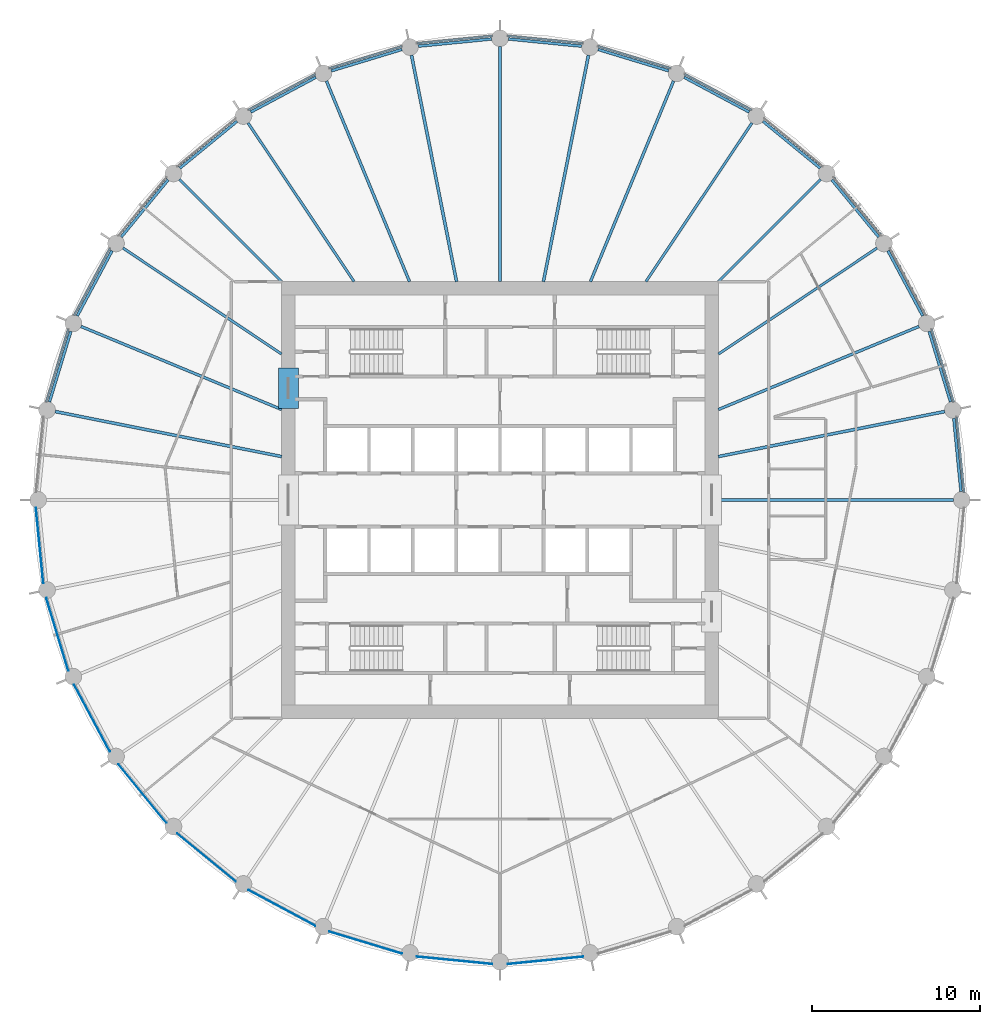
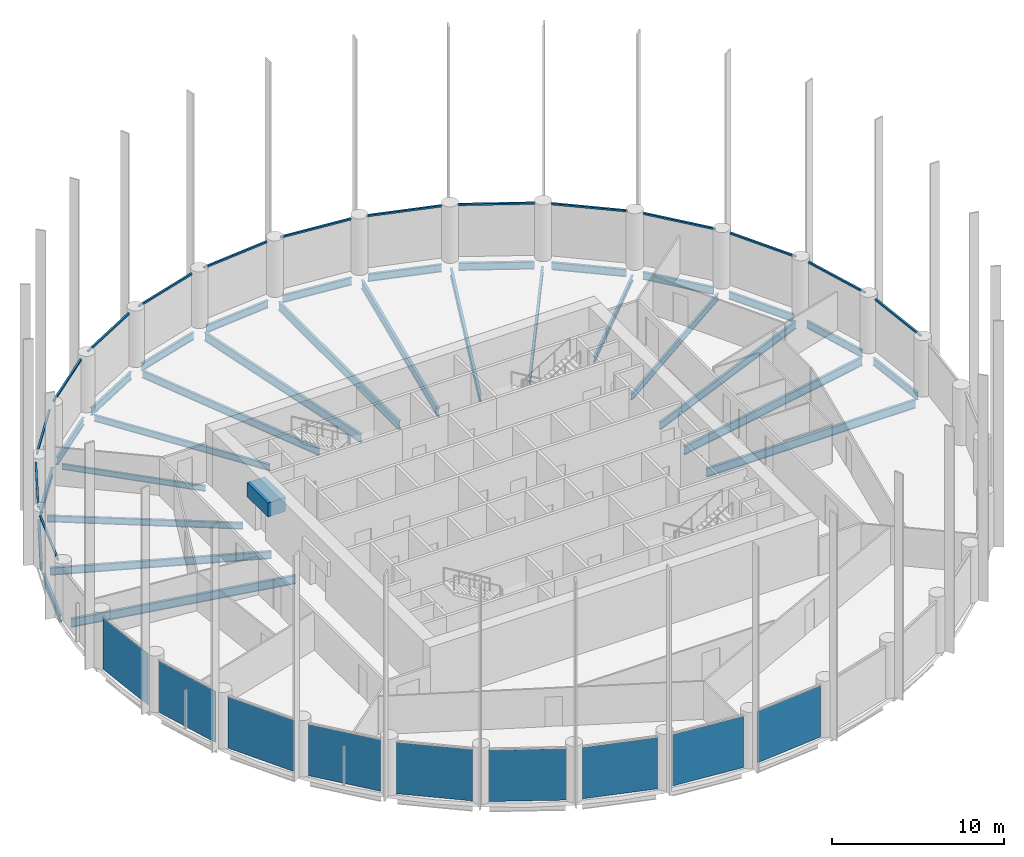
# One storey, part 2 of 9: 32 beams, 15 members, 9 plates, 24 elements without a shape of their own.
"""IFC4 building model written with IfcOpenShell, lengths in metres."""

from ifc_helpers import new_model, si_unit, direction, frame, origin, origin_2d, place, context, subcontext, project, spatial, rectangle, i_section, extrude, material, layer, layer_set, material_profile, profile_set, type_object, element, aggregate, save


model = new_model("IFC4")

# Units and contexts
model_context = context("Model", 3, precision=1e-05, world=origin(), true_north=direction((0.0, 1.0)))
body_context = subcontext(model_context, "Body", "Model", "MODEL_VIEW")
ifc_project = project(units=[si_unit("LENGTHUNIT", "METRE"), si_unit("AREAUNIT", "SQUARE_METRE"), si_unit("VOLUMEUNIT", "CUBIC_METRE"), si_unit("PLANEANGLEUNIT", "RADIAN"), si_unit("MASSUNIT", "GRAM", prefix="KILO")], contexts=[model_context])

# Site, building, storey
site_placement = place(None, origin())
site = spatial("IfcSite", under=ifc_project, at=site_placement, CompositionType="ELEMENT")
building_placement = place(site_placement, origin())
building = spatial("IfcBuilding", under=site, at=building_placement, Name="Corvane Civic Tower", CompositionType="ELEMENT")
storey_placement = place(building_placement, frame((0.0, 0.0, 217.5)))
storey = spatial("IfcBuildingStorey", under=building, at=storey_placement, Name="L51", CompositionType="ELEMENT", Elevation=217.5)

# Beams
ifc_material_1 = material(Name="Concrete C50/60", Category="concrete")
ifc_material_profile_1 = material_profile(ifc_material_1, rectangle(XDim=1.199951171875, YDim=1.0, at=origin_2d()), Name="COUPLING BEAM 1200X1000")
ifc_profile_set_1 = profile_set([ifc_material_profile_1], Name="Concrete C50/60")
beam_type_1 = type_object("IfcBeamType", Name="COUPLING BEAM COUPLING BEAM 1200X1000", PredefinedType="BEAM", material=ifc_profile_set_1)
beam_1_placement = place(storey_placement, frame((-12.60009765625, 5.449951171875, 2.60009765625), z_axis=(0.0, 1.0, 0.0), x_axis=(-1.0, 0.0, 0.0)))
element("IfcBeam", 1, at=beam_1_placement, inside=storey, type_object=beam_type_1, Name="BM-L51-cpl-CW-WN", PredefinedType="BEAM", context=body_context, shape_type="SweptSolid", body=[
    extrude(rectangle(XDim=1.199951171875, YDim=1.0, at=origin_2d()), origin(), (0.0, 0.0, 1.0), 2.400146484375),
])
ifc_material_2 = material(Name="Steel ASTM A992 Gr 50", Category="steel")
ifc_material_profile_2 = material_profile(ifc_material_2, i_section(OverallWidth=0.165771484375, OverallDepth=0.5283203125, WebThickness=0.009765625, FlangeThickness=0.013671875, at=origin_2d()), Name="W21X50")
ifc_profile_set_2 = profile_set([ifc_material_profile_2], Name="Steel ASTM A992 Gr 50")
beam_type_2 = type_object("IfcBeamType", Name="EDGE BEAM W21X50", PredefinedType="BEAM", material=ifc_profile_set_2)
beam_2_placement = place(storey_placement, frame((0.49755859375, 27.450927734375, -0.564208984375), z_axis=(0.995189593769, -0.097967711281, 0.0), x_axis=(0.097967711281, 0.995189593769, 0.0)))
element("IfcBeam", 2, at=beam_2_placement, inside=storey, type_object=beam_type_2, Name="BM-L51-E01", PredefinedType="BEAM", context=body_context, shape_type="SweptSolid", body=[
    extrude(i_section(OverallWidth=0.165771484375, OverallDepth=0.5283203125, WebThickness=0.009765625, FlangeThickness=0.013671875, at=origin_2d()), origin(), (0.0, 0.0, 1.0), 4.39111328125),
])
beam_3_placement = place(storey_placement, frame((5.843505859375, 26.826416015625, -0.564208984375), z_axis=(0.956949547653, -0.290254307888, 0.0), x_axis=(0.290254307888, 0.956949547653, 0.0)))
element("IfcBeam", 3, at=beam_3_placement, inside=storey, type_object=beam_type_2, Name="BM-L51-E02", PredefinedType="BEAM", context=body_context, shape_type="SweptSolid", body=[
    extrude(i_section(OverallWidth=0.165771484375, OverallDepth=0.5283203125, WebThickness=0.009765625, FlangeThickness=0.013671875, at=origin_2d()), origin(), (0.0, 0.0, 1.0), 4.390625),
])
for number, where, z_axis, x_axis, name in (
    (4, (10.964599609375, 25.171142578125, -0.564208984375), (0.881907756852, -0.471422006704, 0.0), (0.471422006704, 0.881907756852, 0.0), "BM-L51-E03"),
    (5, (15.66455078125, 22.54833984375, -0.564208984375), (0.773030026524, -0.634369433447, 0.0), (0.634369433447, 0.773030026524, 0.0), "BM-L51-E04"),
    (6, (19.7626953125, 19.05908203125, -0.564208984375), (0.634369433447, -0.773030026524, 0.0), (0.773030026524, 0.634369433447, 0.0), "BM-L51-E05"),
    (7, (23.10107421875, 14.837158203125, -0.564208984375), (0.471422006704, -0.881907756852, 0.0), (0.881907756852, 0.471422006704, 0.0), "BM-L51-E06"),
):
    element("IfcBeam", number, at=place(storey_placement, frame(where, z_axis=z_axis, x_axis=x_axis)), inside=storey, type_object=beam_type_2, Name=name, PredefinedType="BEAM", context=body_context, shape_type="SweptSolid", body=[
        extrude(i_section(OverallWidth=0.165771484375, OverallDepth=0.5283203125, WebThickness=0.009765625, FlangeThickness=0.013671875, at=origin_2d()), origin(), (0.0, 0.0, 1.0), 4.39111328125),
    ])
beam_4_placement = place(storey_placement, frame((25.552001953125, 10.045166015625, -0.564208984375), z_axis=(0.290254307888, -0.956949547653, 0.0), x_axis=(0.956949547653, 0.290254307888, 0.0)))
element("IfcBeam", 8, at=beam_4_placement, inside=storey, type_object=beam_type_2, Name="BM-L51-E07", PredefinedType="BEAM", context=body_context, shape_type="SweptSolid", body=[
    extrude(i_section(OverallWidth=0.165771484375, OverallDepth=0.5283203125, WebThickness=0.009765625, FlangeThickness=0.013671875, at=origin_2d()), origin(), (0.0, 0.0, 1.0), 4.390625),
])
beam_5_placement = place(storey_placement, frame((27.020751953125, 4.867431640625, -0.564208984375), z_axis=(0.097967711281, -0.995189593769, 0.0), x_axis=(0.995189593769, 0.097967711281, 0.0)))
element("IfcBeam", 9, at=beam_5_placement, inside=storey, type_object=beam_type_2, Name="BM-L51-E08", PredefinedType="BEAM", context=body_context, shape_type="SweptSolid", body=[
    extrude(i_section(OverallWidth=0.165771484375, OverallDepth=0.5283203125, WebThickness=0.009765625, FlangeThickness=0.013671875, at=origin_2d()), origin(), (0.0, 0.0, 1.0), 4.39111328125),
])
beam_6_placement = place(storey_placement, frame((-26.826416015625, 5.843505859375, -0.564208984375), z_axis=(0.290254307888, 0.956949547653, 0.0), x_axis=(-0.956949547653, 0.290254307888, 0.0)))
element("IfcBeam", 10, at=beam_6_placement, inside=storey, type_object=beam_type_2, Name="BM-L51-E26", PredefinedType="BEAM", context=body_context, shape_type="SweptSolid", body=[
    extrude(i_section(OverallWidth=0.165771484375, OverallDepth=0.5283203125, WebThickness=0.009765625, FlangeThickness=0.013671875, at=origin_2d()), origin(), (0.0, 0.0, 1.0), 4.390625),
])
for number, where, z_axis, x_axis, name in (
    (11, (-25.171142578125, 10.964599609375, -0.564208984375), (0.471422006704, 0.881907756852, 0.0), (-0.881907756852, 0.471422006704, 0.0), "BM-L51-E27"),
    (12, (-22.54833984375, 15.66455078125, -0.564208984375), (0.634369433447, 0.773030026524, 0.0), (-0.773030026524, 0.634369433447, 0.0), "BM-L51-E28"),
    (13, (-19.05908203125, 19.7626953125, -0.564208984375), (0.773030026524, 0.634369433447, 0.0), (-0.634369433447, 0.773030026524, 0.0), "BM-L51-E29"),
    (14, (-14.837158203125, 23.10107421875, -0.564208984375), (0.881907756852, 0.471422006704, 0.0), (-0.471422006704, 0.881907756852, 0.0), "BM-L51-E30"),
):
    element("IfcBeam", number, at=place(storey_placement, frame(where, z_axis=z_axis, x_axis=x_axis)), inside=storey, type_object=beam_type_2, Name=name, PredefinedType="BEAM", context=body_context, shape_type="SweptSolid", body=[
        extrude(i_section(OverallWidth=0.165771484375, OverallDepth=0.5283203125, WebThickness=0.009765625, FlangeThickness=0.013671875, at=origin_2d()), origin(), (0.0, 0.0, 1.0), 4.39111328125),
    ])
beam_7_placement = place(storey_placement, frame((-10.045166015625, 25.552001953125, -0.564208984375), z_axis=(0.956949547653, 0.290254307888, 0.0), x_axis=(-0.290254307888, 0.956949547653, 0.0)))
element("IfcBeam", 15, at=beam_7_placement, inside=storey, type_object=beam_type_2, Name="BM-L51-E31", PredefinedType="BEAM", context=body_context, shape_type="SweptSolid", body=[
    extrude(i_section(OverallWidth=0.165771484375, OverallDepth=0.5283203125, WebThickness=0.009765625, FlangeThickness=0.013671875, at=origin_2d()), origin(), (0.0, 0.0, 1.0), 4.390625),
])
beam_8_placement = place(storey_placement, frame((-4.867431640625, 27.020751953125, -0.564208984375), z_axis=(0.995189593769, 0.097967711281, 0.0), x_axis=(-0.097967711281, 0.995189593769, 0.0)))
element("IfcBeam", 16, at=beam_8_placement, inside=storey, type_object=beam_type_2, Name="BM-L51-E32", PredefinedType="BEAM", context=body_context, shape_type="SweptSolid", body=[
    extrude(i_section(OverallWidth=0.165771484375, OverallDepth=0.5283203125, WebThickness=0.009765625, FlangeThickness=0.013671875, at=origin_2d()), origin(), (0.0, 0.0, 1.0), 4.39111328125),
])
ifc_material_3 = material(Name="Steel ASTM A992 Gr 50", Category="steel")
ifc_material_profile_3 = material_profile(ifc_material_3, i_section(OverallWidth=0.140380859375, OverallDepth=0.40380859375, WebThickness=0.007080078125, FlangeThickness=0.01123046875, at=origin_2d()), Name="W16X31")
ifc_profile_set_3 = profile_set([ifc_material_profile_3], Name="Steel ASTM A992 Gr 50")
beam_type_3 = type_object("IfcBeamType", Name="FLOOR GIRDER W16X31", PredefinedType="BEAM", material=ifc_profile_set_3)
for number, where, z_axis, x_axis, name in (
    (17, (13.0, 13.0, -0.501953125), (0.707106781187, 0.707106781187, 0.0), (-0.707106781187, 0.707106781187, 0.0), "BM-L51-G05"),
    (18, (-13.0, 13.0, -0.501953125), (-0.707106781187, 0.707106781187, 0.0), (-0.707106781187, -0.707106781187, 0.0), "BM-L51-G29"),
):
    element("IfcBeam", number, at=place(storey_placement, frame(where, z_axis=z_axis, x_axis=x_axis)), inside=storey, type_object=beam_type_3, Name=name, PredefinedType="BEAM", context=body_context, shape_type="SweptSolid", body=[
        extrude(i_section(OverallWidth=0.140380859375, OverallDepth=0.40380859375, WebThickness=0.007080078125, FlangeThickness=0.01123046875, at=origin_2d()), origin(), (0.0, 0.0, 1.0), 8.614990234375),
    ])
ifc_material_4 = material(Name="Steel ASTM A992 Gr 50", Category="steel")
ifc_material_profile_4 = material_profile(ifc_material_4, i_section(OverallWidth=0.15283203125, OverallDepth=0.45458984375, WebThickness=0.008056640625, FlangeThickness=0.013427734375, at=origin_2d()), Name="W18X40")
ifc_profile_set_4 = profile_set([ifc_material_profile_4], Name="Steel ASTM A992 Gr 50")
beam_type_4 = type_object("IfcBeamType", Name="FLOOR GIRDER W18X40", PredefinedType="BEAM", material=ifc_profile_set_4)
for number, where, z_axis, x_axis, name in (
    (19, (8.686279296875, 13.0, -0.52734375), (0.555577326485, 0.831464872557, 0.0), (-0.831464872557, 0.555577326485, 0.0), "BM-L51-G04"),
    (20, (13.0, 8.686279296875, -0.52734375), (0.831464872557, 0.555577326485, 0.0), (-0.555577326485, 0.831464872557, 0.0), "BM-L51-G06"),
    (21, (-13.0, 8.686279296875, -0.52734375), (-0.831464872557, 0.555577326485, 0.0), (-0.555577326485, -0.831464872557, 0.0), "BM-L51-G28"),
    (22, (-8.686279296875, 13.0, -0.52734375), (-0.555577326485, 0.831464872557, 0.0), (-0.831464872557, -0.555577326485, 0.0), "BM-L51-G30"),
):
    element("IfcBeam", number, at=place(storey_placement, frame(where, z_axis=z_axis, x_axis=x_axis)), inside=storey, type_object=beam_type_4, Name=name, PredefinedType="BEAM", context=body_context, shape_type="SweptSolid", body=[
        extrude(i_section(OverallWidth=0.15283203125, OverallDepth=0.45458984375, WebThickness=0.008056640625, FlangeThickness=0.013427734375, at=origin_2d()), origin(), (0.0, 0.0, 1.0), 11.365234375),
    ])
ifc_material_5 = material(Name="Steel ASTM A992 Gr 50", Category="steel")
ifc_material_profile_5 = material_profile(ifc_material_5, i_section(OverallWidth=0.165771484375, OverallDepth=0.5283203125, WebThickness=0.009765625, FlangeThickness=0.013671875, at=origin_2d()), Name="W21X50")
ifc_profile_set_5 = profile_set([ifc_material_profile_5], Name="Steel ASTM A992 Gr 50")
beam_type_5 = type_object("IfcBeamType", Name="FLOOR GIRDER W21X50", PredefinedType="BEAM", material=ifc_profile_set_5)
for number, where, z_axis, x_axis, name in (
    (23, (5.384765625, 13.0, -0.564208984375), (0.382686450378, 0.923878282404, 0.0), (-0.923878282404, 0.382686450378, 0.0), "BM-L51-G03"),
    (24, (13.0, 5.384765625, -0.564208984375), (0.923878282404, 0.382686450378, 0.0), (-0.382686450378, 0.923878282404, 0.0), "BM-L51-G07"),
    (25, (-13.0, 5.384765625, -0.564208984375), (-0.923878282404, 0.382686450378, 0.0), (-0.382686450378, -0.923878282404, 0.0), "BM-L51-G27"),
    (26, (-5.384765625, 13.0, -0.564208984375), (-0.382686450378, 0.923878282404, 0.0), (-0.923878282404, -0.382686450378, 0.0), "BM-L51-G31"),
):
    element("IfcBeam", number, at=place(storey_placement, frame(where, z_axis=z_axis, x_axis=x_axis)), inside=storey, type_object=beam_type_5, Name=name, PredefinedType="BEAM", context=body_context, shape_type="SweptSolid", body=[
        extrude(i_section(OverallWidth=0.165771484375, OverallDepth=0.5283203125, WebThickness=0.009765625, FlangeThickness=0.013671875, at=origin_2d()), origin(), (0.0, 0.0, 1.0), 12.928955078125),
    ])
ifc_material_6 = material(Name="Steel ASTM A992 Gr 50", Category="steel")
ifc_material_profile_6 = material_profile(ifc_material_6, i_section(OverallWidth=0.177978515625, OverallDepth=0.599365234375, WebThickness=0.010009765625, FlangeThickness=0.012939453125, at=origin_2d()), Name="W24X55")
ifc_profile_set_6 = profile_set([ifc_material_profile_6], Name="Steel ASTM A992 Gr 50")
beam_type_6 = type_object("IfcBeamType", Name="FLOOR GIRDER W24X55", PredefinedType="BEAM", material=ifc_profile_set_6)
beam_9_placement = place(storey_placement, frame((0.0, 13.0, -0.599609375), z_axis=(0.0, 1.0, 0.0), x_axis=(-1.0, 0.0, 0.0)))
element("IfcBeam", 27, at=beam_9_placement, inside=storey, type_object=beam_type_6, Name="BM-L51-G01", PredefinedType="BEAM", context=body_context, shape_type="SweptSolid", body=[
    extrude(i_section(OverallWidth=0.177978515625, OverallDepth=0.599365234375, WebThickness=0.010009765625, FlangeThickness=0.012939453125, at=origin_2d()), origin(), (0.0, 0.0, 1.0), 14.0),
])
for number, where, z_axis, x_axis, name in (
    (28, (2.5859375, 13.0, -0.599609375), (0.195077644118, 0.980787802109, 0.0), (-0.980787802109, 0.195077644118, 0.0), "BM-L51-G02"),
    (29, (13.0, 2.5859375, -0.599609375), (0.980787802109, 0.195077644118, 0.0), (-0.195077644118, 0.980787802109, 0.0), "BM-L51-G08"),
):
    element("IfcBeam", number, at=place(storey_placement, frame(where, z_axis=z_axis, x_axis=x_axis)), inside=storey, type_object=beam_type_6, Name=name, PredefinedType="BEAM", context=body_context, shape_type="SweptSolid", body=[
        extrude(i_section(OverallWidth=0.177978515625, OverallDepth=0.599365234375, WebThickness=0.010009765625, FlangeThickness=0.012939453125, at=origin_2d()), origin(), (0.0, 0.0, 1.0), 13.745361328125),
    ])
beam_10_placement = place(storey_placement, frame((13.0, 0.0, -0.599609375), z_axis=(1.0, 0.0, 0.0), x_axis=(0.0, 1.0, 0.0)))
element("IfcBeam", 30, at=beam_10_placement, inside=storey, type_object=beam_type_6, Name="BM-L51-G09", PredefinedType="BEAM", context=body_context, shape_type="SweptSolid", body=[
    extrude(i_section(OverallWidth=0.177978515625, OverallDepth=0.599365234375, WebThickness=0.010009765625, FlangeThickness=0.012939453125, at=origin_2d()), origin(), (0.0, 0.0, 1.0), 14.0),
])
for number, where, z_axis, x_axis, name in (
    (31, (-13.0, 2.5859375, -0.599609375), (-0.980787802109, 0.195077644118, 0.0), (-0.195077644118, -0.980787802109, 0.0), "BM-L51-G26"),
    (32, (-2.5859375, 13.0, -0.599609375), (-0.195077644118, 0.980787802109, 0.0), (-0.980787802109, -0.195077644118, 0.0), "BM-L51-G32"),
):
    element("IfcBeam", number, at=place(storey_placement, frame(where, z_axis=z_axis, x_axis=x_axis)), inside=storey, type_object=beam_type_6, Name=name, PredefinedType="BEAM", context=body_context, shape_type="SweptSolid", body=[
        extrude(i_section(OverallWidth=0.177978515625, OverallDepth=0.599365234375, WebThickness=0.010009765625, FlangeThickness=0.012939453125, at=origin_2d()), origin(), (0.0, 0.0, 1.0), 13.745361328125),
    ])

# Curtain wall, member
ifc_material_7 = material(Name="Anodised aluminium bronze", Category="aluminium")
curtain_wall_type = type_object("IfcCurtainWallType", Name="TOWER CW-T2 STICK CURTAIN WALL", PredefinedType="NOTDEFINED", material=ifc_material_7)
curtain_wall_1_placement = place(storey_placement, origin())
curtain_wall_1 = element("IfcCurtainWall", 33, at=curtain_wall_1_placement, inside=storey, type_object=curtain_wall_type, Name="Curtain wall CW-T2 L51 bay 01", PredefinedType="NOTDEFINED")
ifc_material_8 = material(Name="Anodised aluminium bronze", Category="aluminium")
ifc_material_profile_7 = material_profile(ifc_material_8, rectangle(XDim=0.1201171875, YDim=0.1201171875, at=origin_2d()), Name="TOWER CW-T2 TRANSOM 120x120")
ifc_profile_set_7 = profile_set([ifc_material_profile_7], Name="Anodised aluminium bronze")
member_type = type_object("IfcMemberType", Name="TOWER CW-T2 TRANSOM 120x120", PredefinedType="USERDEFINED", material=ifc_profile_set_7)
member_1_placement = place(storey_placement, frame((0.452392578125, 27.635498046875, 3.68994140625), z_axis=(0.995182207386, -0.098042715701, 0.0), x_axis=(0.098042715701, 0.995182207386, 0.0)))
member_1 = element("IfcMember", 34, at=member_1_placement, type_object=member_type, Name="Transom CW-T2 L51 01.1", ObjectType="TRANSOM", PredefinedType="USERDEFINED", context=body_context, shape_type="SweptSolid", body=[
    extrude(rectangle(XDim=0.1201171875, YDim=0.1201171875, at=origin_2d()), origin(), (0.0, 0.0, 1.0), 4.51708984375),
])
aggregate(curtain_wall_1, [member_1])

curtain_wall_2_placement = place(storey_placement, origin())
curtain_wall_2 = element("IfcCurtainWall", 35, at=curtain_wall_2_placement, inside=storey, type_object=curtain_wall_type, Name="Curtain wall CW-T2 L51 bay 02", PredefinedType="NOTDEFINED")
member_2_placement = place(storey_placement, frame((5.8349609375, 27.016357421875, 3.68994140625), z_axis=(0.956941182173, -0.2902818869, 0.0), x_axis=(0.2902818869, 0.956941182173, 0.0)))
member_2 = element("IfcMember", 36, at=member_2_placement, type_object=member_type, Name="Transom CW-T2 L51 02.1", ObjectType="TRANSOM", PredefinedType="USERDEFINED", context=body_context, shape_type="SweptSolid", body=[
    extrude(rectangle(XDim=0.1201171875, YDim=0.1201171875, at=origin_2d()), origin(), (0.0, 0.0, 1.0), 4.517333984375),
])
aggregate(curtain_wall_2, [member_2])

curtain_wall_3_placement = place(storey_placement, origin())
curtain_wall_3 = element("IfcCurtainWall", 37, at=curtain_wall_3_placement, inside=storey, type_object=curtain_wall_type, Name="Curtain wall CW-T2 L51 bay 03", PredefinedType="NOTDEFINED")
member_3_placement = place(storey_placement, frame((10.993408203125, 25.35888671875, 3.68994140625), z_axis=(0.881924695689, -0.471390317183, 0.0), x_axis=(0.471390317183, 0.881924695689, 0.0)))
member_3 = element("IfcMember", 38, at=member_3_placement, type_object=member_type, Name="Transom CW-T2 L51 03.1", ObjectType="TRANSOM", PredefinedType="USERDEFINED", context=body_context, shape_type="SweptSolid", body=[
    extrude(rectangle(XDim=0.1201171875, YDim=0.1201171875, at=origin_2d()), origin(), (0.0, 0.0, 1.0), 4.517333984375),
])
aggregate(curtain_wall_3, [member_3])

curtain_wall_4_placement = place(storey_placement, origin())
curtain_wall_4 = element("IfcCurtainWall", 39, at=curtain_wall_4_placement, inside=storey, type_object=curtain_wall_type, Name="Curtain wall CW-T2 L51 bay 04", PredefinedType="NOTDEFINED")
member_4_placement = place(storey_placement, frame((15.7294921875, 22.726806640625, 3.68994140625), z_axis=(0.773014925698, -0.634387834569, 0.0), x_axis=(0.634387834569, 0.773014925698, 0.0)))
member_4 = element("IfcMember", 40, at=member_4_placement, type_object=member_type, Name="Transom CW-T2 L51 04.1", ObjectType="TRANSOM", PredefinedType="USERDEFINED", context=body_context, shape_type="SweptSolid", body=[
    extrude(rectangle(XDim=0.1201171875, YDim=0.1201171875, at=origin_2d()), origin(), (0.0, 0.0, 1.0), 4.517333984375),
])
aggregate(curtain_wall_4, [member_4])

curtain_wall_5_placement = place(storey_placement, origin())
curtain_wall_5 = element("IfcCurtainWall", 41, at=curtain_wall_5_placement, inside=storey, type_object=curtain_wall_type, Name="Curtain wall CW-T2 L51 bay 05", PredefinedType="NOTDEFINED")
member_5_placement = place(storey_placement, frame((19.861083984375, 19.221435546875, 3.68994140625), z_axis=(0.634387834569, -0.773014925698, 0.0), x_axis=(0.773014925698, 0.634387834569, 0.0)))
member_5 = element("IfcMember", 42, at=member_5_placement, type_object=member_type, Name="Transom CW-T2 L51 05.1", ObjectType="TRANSOM", PredefinedType="USERDEFINED", context=body_context, shape_type="SweptSolid", body=[
    extrude(rectangle(XDim=0.1201171875, YDim=0.1201171875, at=origin_2d()), origin(), (0.0, 0.0, 1.0), 4.517333984375),
])
aggregate(curtain_wall_5, [member_5])

curtain_wall_6_placement = place(storey_placement, origin())
curtain_wall_6 = element("IfcCurtainWall", 43, at=curtain_wall_6_placement, inside=storey, type_object=curtain_wall_type, Name="Curtain wall CW-T2 L51 bay 06", PredefinedType="NOTDEFINED")
member_6_placement = place(storey_placement, frame((23.2294921875, 14.977294921875, 3.68994140625), z_axis=(0.471390317183, -0.881924695689, 0.0), x_axis=(0.881924695689, 0.471390317183, 0.0)))
member_6 = element("IfcMember", 44, at=member_6_placement, type_object=member_type, Name="Transom CW-T2 L51 06.1", ObjectType="TRANSOM", PredefinedType="USERDEFINED", context=body_context, shape_type="SweptSolid", body=[
    extrude(rectangle(XDim=0.1201171875, YDim=0.1201171875, at=origin_2d()), origin(), (0.0, 0.0, 1.0), 4.517333984375),
])
aggregate(curtain_wall_6, [member_6])

curtain_wall_7_placement = place(storey_placement, origin())
curtain_wall_7 = element("IfcCurtainWall", 45, at=curtain_wall_7_placement, inside=storey, type_object=curtain_wall_type, Name="Curtain wall CW-T2 L51 bay 07", PredefinedType="NOTDEFINED")
member_7_placement = place(storey_placement, frame((25.705078125, 10.15771484375, 3.68994140625), z_axis=(0.2902818869, -0.956941182173, 0.0), x_axis=(0.956941182173, 0.2902818869, 0.0)))
member_7 = element("IfcMember", 46, at=member_7_placement, type_object=member_type, Name="Transom CW-T2 L51 07.1", ObjectType="TRANSOM", PredefinedType="USERDEFINED", context=body_context, shape_type="SweptSolid", body=[
    extrude(rectangle(XDim=0.1201171875, YDim=0.1201171875, at=origin_2d()), origin(), (0.0, 0.0, 1.0), 4.517333984375),
])
aggregate(curtain_wall_7, [member_7])

curtain_wall_8_placement = place(storey_placement, origin())
curtain_wall_8 = element("IfcCurtainWall", 47, at=curtain_wall_8_placement, inside=storey, type_object=curtain_wall_type, Name="Curtain wall CW-T2 L51 bay 08", PredefinedType="NOTDEFINED")
member_8_placement = place(storey_placement, frame((27.192626953125, 4.94775390625, 3.68994140625), z_axis=(0.098042715701, -0.995182207386, 0.0), x_axis=(0.995182207386, 0.098042715701, 0.0)))
member_8 = element("IfcMember", 48, at=member_8_placement, type_object=member_type, Name="Transom CW-T2 L51 08.1", ObjectType="TRANSOM", PredefinedType="USERDEFINED", context=body_context, shape_type="SweptSolid", body=[
    extrude(rectangle(XDim=0.1201171875, YDim=0.1201171875, at=origin_2d()), origin(), (0.0, 0.0, 1.0), 4.51708984375),
])
aggregate(curtain_wall_8, [member_8])

curtain_wall_9_placement = place(storey_placement, origin())
curtain_wall_9 = element("IfcCurtainWall", 49, at=curtain_wall_9_placement, inside=storey, type_object=curtain_wall_type, Name="Curtain wall CW-T2 L51 bay 26", PredefinedType="NOTDEFINED")
member_9_placement = place(storey_placement, frame((-27.016357421875, 5.8349609375, 3.68994140625), z_axis=(0.2902818869, 0.956941182173, 0.0), x_axis=(-0.956941182173, 0.2902818869, 0.0)))
member_9 = element("IfcMember", 50, at=member_9_placement, type_object=member_type, Name="Transom CW-T2 L51 26.1", ObjectType="TRANSOM", PredefinedType="USERDEFINED", context=body_context, shape_type="SweptSolid", body=[
    extrude(rectangle(XDim=0.1201171875, YDim=0.1201171875, at=origin_2d()), origin(), (0.0, 0.0, 1.0), 4.517333984375),
])
aggregate(curtain_wall_9, [member_9])

curtain_wall_10_placement = place(storey_placement, origin())
curtain_wall_10 = element("IfcCurtainWall", 51, at=curtain_wall_10_placement, inside=storey, type_object=curtain_wall_type, Name="Curtain wall CW-T2 L51 bay 27", PredefinedType="NOTDEFINED")
member_10_placement = place(storey_placement, frame((-25.35888671875, 10.993408203125, 3.68994140625), z_axis=(0.471390317183, 0.881924695689, 0.0), x_axis=(-0.881924695689, 0.471390317183, 0.0)))
member_10 = element("IfcMember", 52, at=member_10_placement, type_object=member_type, Name="Transom CW-T2 L51 27.1", ObjectType="TRANSOM", PredefinedType="USERDEFINED", context=body_context, shape_type="SweptSolid", body=[
    extrude(rectangle(XDim=0.1201171875, YDim=0.1201171875, at=origin_2d()), origin(), (0.0, 0.0, 1.0), 4.517333984375),
])
aggregate(curtain_wall_10, [member_10])

curtain_wall_11_placement = place(storey_placement, origin())
curtain_wall_11 = element("IfcCurtainWall", 53, at=curtain_wall_11_placement, inside=storey, type_object=curtain_wall_type, Name="Curtain wall CW-T2 L51 bay 28", PredefinedType="NOTDEFINED")
member_11_placement = place(storey_placement, frame((-22.726806640625, 15.7294921875, 3.68994140625), z_axis=(0.634387834569, 0.773014925698, 0.0), x_axis=(-0.773014925698, 0.634387834569, 0.0)))
member_11 = element("IfcMember", 54, at=member_11_placement, type_object=member_type, Name="Transom CW-T2 L51 28.1", ObjectType="TRANSOM", PredefinedType="USERDEFINED", context=body_context, shape_type="SweptSolid", body=[
    extrude(rectangle(XDim=0.1201171875, YDim=0.1201171875, at=origin_2d()), origin(), (0.0, 0.0, 1.0), 4.517333984375),
])
aggregate(curtain_wall_11, [member_11])

curtain_wall_12_placement = place(storey_placement, origin())
curtain_wall_12 = element("IfcCurtainWall", 55, at=curtain_wall_12_placement, inside=storey, type_object=curtain_wall_type, Name="Curtain wall CW-T2 L51 bay 29", PredefinedType="NOTDEFINED")
member_12_placement = place(storey_placement, frame((-19.221435546875, 19.861083984375, 3.68994140625), z_axis=(0.773014925698, 0.634387834569, 0.0), x_axis=(-0.634387834569, 0.773014925698, 0.0)))
member_12 = element("IfcMember", 56, at=member_12_placement, type_object=member_type, Name="Transom CW-T2 L51 29.1", ObjectType="TRANSOM", PredefinedType="USERDEFINED", context=body_context, shape_type="SweptSolid", body=[
    extrude(rectangle(XDim=0.1201171875, YDim=0.1201171875, at=origin_2d()), origin(), (0.0, 0.0, 1.0), 4.517333984375),
])
aggregate(curtain_wall_12, [member_12])

curtain_wall_13_placement = place(storey_placement, origin())
curtain_wall_13 = element("IfcCurtainWall", 57, at=curtain_wall_13_placement, inside=storey, type_object=curtain_wall_type, Name="Curtain wall CW-T2 L51 bay 30", PredefinedType="NOTDEFINED")
member_13_placement = place(storey_placement, frame((-14.977294921875, 23.2294921875, 3.68994140625), z_axis=(0.881924695689, 0.471390317183, 0.0), x_axis=(-0.471390317183, 0.881924695689, 0.0)))
member_13 = element("IfcMember", 58, at=member_13_placement, type_object=member_type, Name="Transom CW-T2 L51 30.1", ObjectType="TRANSOM", PredefinedType="USERDEFINED", context=body_context, shape_type="SweptSolid", body=[
    extrude(rectangle(XDim=0.1201171875, YDim=0.1201171875, at=origin_2d()), origin(), (0.0, 0.0, 1.0), 4.517333984375),
])
aggregate(curtain_wall_13, [member_13])

curtain_wall_14_placement = place(storey_placement, origin())
curtain_wall_14 = element("IfcCurtainWall", 59, at=curtain_wall_14_placement, inside=storey, type_object=curtain_wall_type, Name="Curtain wall CW-T2 L51 bay 31", PredefinedType="NOTDEFINED")
member_14_placement = place(storey_placement, frame((-10.15771484375, 25.705078125, 3.68994140625), z_axis=(0.956941182173, 0.2902818869, 0.0), x_axis=(-0.2902818869, 0.956941182173, 0.0)))
member_14 = element("IfcMember", 60, at=member_14_placement, type_object=member_type, Name="Transom CW-T2 L51 31.1", ObjectType="TRANSOM", PredefinedType="USERDEFINED", context=body_context, shape_type="SweptSolid", body=[
    extrude(rectangle(XDim=0.1201171875, YDim=0.1201171875, at=origin_2d()), origin(), (0.0, 0.0, 1.0), 4.517333984375),
])
aggregate(curtain_wall_14, [member_14])

curtain_wall_15_placement = place(storey_placement, origin())
curtain_wall_15 = element("IfcCurtainWall", 61, at=curtain_wall_15_placement, inside=storey, type_object=curtain_wall_type, Name="Curtain wall CW-T2 L51 bay 32", PredefinedType="NOTDEFINED")
member_15_placement = place(storey_placement, frame((-4.94775390625, 27.192626953125, 3.68994140625), z_axis=(0.995182207386, 0.098042715701, 0.0), x_axis=(-0.098042715701, 0.995182207386, 0.0)))
member_15 = element("IfcMember", 62, at=member_15_placement, type_object=member_type, Name="Transom CW-T2 L51 32.1", ObjectType="TRANSOM", PredefinedType="USERDEFINED", context=body_context, shape_type="SweptSolid", body=[
    extrude(rectangle(XDim=0.1201171875, YDim=0.1201171875, at=origin_2d()), origin(), (0.0, 0.0, 1.0), 4.51708984375),
])
aggregate(curtain_wall_15, [member_15])

# Curtain wall, plate
curtain_wall_16_placement = place(storey_placement, origin())
curtain_wall_16 = element("IfcCurtainWall", 63, at=curtain_wall_16_placement, inside=storey, type_object=curtain_wall_type, Name="Curtain wall CW-T2 L51 bay 16", PredefinedType="NOTDEFINED")
ifc_material_9 = material(Name="Tinted glass", Category="glass")
ifc_layer = layer(ifc_material_9, 0.031982421875)
ifc_layer_set = layer_set([ifc_layer], Name="Tinted glass")
plate_type = type_object("IfcPlateType", Name="TOWER CW-T2 PANEL IGU32", PredefinedType="CURTAIN_PANEL", material=ifc_layer_set)
plate_1_placement = place(storey_placement, frame((2.699951171875, -27.4140625, 0.0), z_axis=(0.0, 0.0, 1.0), x_axis=(-0.995187058378, -0.097993463235, 0.0)))
plate_1 = element("IfcPlate", 64, at=plate_1_placement, type_object=plate_type, Name="Glass panel CW-T2 L51 16.1", PredefinedType="CURTAIN_PANEL", context=body_context, shape_type="SweptSolid", body=[
    extrude(rectangle(XDim=4.517333984375, YDim=0.031982421875, at=origin_2d()), origin(), (0.0, 0.0, 1.0), 3.6298828125),
])
aggregate(curtain_wall_16, [plate_1])

curtain_wall_17_placement = place(storey_placement, origin())
curtain_wall_17 = element("IfcCurtainWall", 65, at=curtain_wall_17_placement, inside=storey, type_object=curtain_wall_type, Name="Curtain wall CW-T2 L51 bay 17", PredefinedType="NOTDEFINED")
plate_2_placement = place(storey_placement, frame((-2.699951171875, -27.4140625, 0.0), z_axis=(0.0, 0.0, 1.0), x_axis=(-0.995187058378, 0.097993463235, 0.0)))
plate_2 = element("IfcPlate", 66, at=plate_2_placement, type_object=plate_type, Name="Glass panel CW-T2 L51 17.1", PredefinedType="CURTAIN_PANEL", context=body_context, shape_type="SweptSolid", body=[
    extrude(rectangle(XDim=4.517333984375, YDim=0.031982421875, at=origin_2d()), origin(), (0.0, 0.0, 1.0), 3.6298828125),
])
aggregate(curtain_wall_17, [plate_2])

curtain_wall_18_placement = place(storey_placement, origin())
curtain_wall_18 = element("IfcCurtainWall", 67, at=curtain_wall_18_placement, inside=storey, type_object=curtain_wall_type, Name="Curtain wall CW-T2 L51 bay 18", PredefinedType="NOTDEFINED")
plate_3_placement = place(storey_placement, frame((-7.996337890625, -26.360595703125, 0.0), z_axis=(0.0, 0.0, 1.0), x_axis=(-0.956938843612, 0.290289596069, 0.0)))
plate_3 = element("IfcPlate", 68, at=plate_3_placement, type_object=plate_type, Name="Glass panel CW-T2 L51 18.1", PredefinedType="CURTAIN_PANEL", context=body_context, shape_type="SweptSolid", body=[
    extrude(rectangle(XDim=4.517333984375, YDim=0.031982421875, at=origin_2d()), origin(), (0.0, 0.0, 1.0), 3.6298828125),
])
aggregate(curtain_wall_18, [plate_3])

curtain_wall_19_placement = place(storey_placement, origin())
curtain_wall_19 = element("IfcCurtainWall", 69, at=curtain_wall_19_placement, inside=storey, type_object=curtain_wall_type, Name="Curtain wall CW-T2 L51 bay 19", PredefinedType="NOTDEFINED")
plate_4_placement = place(storey_placement, frame((-12.9853515625, -24.294189453125, 0.0), z_axis=(0.0, 0.0, 1.0), x_axis=(-0.881920381001, 0.471398389449, 0.0)))
plate_4 = element("IfcPlate", 70, at=plate_4_placement, type_object=plate_type, Name="Glass panel CW-T2 L51 19.1", PredefinedType="CURTAIN_PANEL", context=body_context, shape_type="SweptSolid", body=[
    extrude(rectangle(XDim=4.517333984375, YDim=0.031982421875, at=origin_2d()), origin(), (0.0, 0.0, 1.0), 3.6298828125),
])
aggregate(curtain_wall_19, [plate_4])

curtain_wall_20_placement = place(storey_placement, origin())
curtain_wall_20 = element("IfcCurtainWall", 71, at=curtain_wall_20_placement, inside=storey, type_object=curtain_wall_type, Name="Curtain wall CW-T2 L51 bay 20", PredefinedType="NOTDEFINED")
plate_5_placement = place(storey_placement, frame((-17.475341796875, -21.2939453125, 0.0), z_axis=(0.0, 0.0, 1.0), x_axis=(-0.773012269331, 0.634391071394, 0.0)))
plate_5 = element("IfcPlate", 72, at=plate_5_placement, type_object=plate_type, Name="Glass panel CW-T2 L51 20.1", PredefinedType="CURTAIN_PANEL", context=body_context, shape_type="SweptSolid", body=[
    extrude(rectangle(XDim=4.517333984375, YDim=0.031982421875, at=origin_2d()), origin(), (0.0, 0.0, 1.0), 3.6298828125),
])
aggregate(curtain_wall_20, [plate_5])

curtain_wall_21_placement = place(storey_placement, origin())
curtain_wall_21 = element("IfcCurtainWall", 73, at=curtain_wall_21_placement, inside=storey, type_object=curtain_wall_type, Name="Curtain wall CW-T2 L51 bay 21", PredefinedType="NOTDEFINED")
plate_6_placement = place(storey_placement, frame((-21.2939453125, -17.475341796875, 0.0), z_axis=(0.0, 0.0, 1.0), x_axis=(-0.634391071394, 0.773012269331, 0.0)))
plate_6 = element("IfcPlate", 74, at=plate_6_placement, type_object=plate_type, Name="Glass panel CW-T2 L51 21.1", PredefinedType="CURTAIN_PANEL", context=body_context, shape_type="SweptSolid", body=[
    extrude(rectangle(XDim=4.517333984375, YDim=0.031982421875, at=origin_2d()), origin(), (0.0, 0.0, 1.0), 3.6298828125),
])
aggregate(curtain_wall_21, [plate_6])

curtain_wall_22_placement = place(storey_placement, origin())
curtain_wall_22 = element("IfcCurtainWall", 75, at=curtain_wall_22_placement, inside=storey, type_object=curtain_wall_type, Name="Curtain wall CW-T2 L51 bay 22", PredefinedType="NOTDEFINED")
plate_7_placement = place(storey_placement, frame((-24.294189453125, -12.9853515625, 0.0), z_axis=(0.0, 0.0, 1.0), x_axis=(-0.471398389449, 0.881920381001, 0.0)))
plate_7 = element("IfcPlate", 76, at=plate_7_placement, type_object=plate_type, Name="Glass panel CW-T2 L51 22.1", PredefinedType="CURTAIN_PANEL", context=body_context, shape_type="SweptSolid", body=[
    extrude(rectangle(XDim=4.517333984375, YDim=0.031982421875, at=origin_2d()), origin(), (0.0, 0.0, 1.0), 3.6298828125),
])
aggregate(curtain_wall_22, [plate_7])

curtain_wall_23_placement = place(storey_placement, origin())
curtain_wall_23 = element("IfcCurtainWall", 77, at=curtain_wall_23_placement, inside=storey, type_object=curtain_wall_type, Name="Curtain wall CW-T2 L51 bay 23", PredefinedType="NOTDEFINED")
plate_8_placement = place(storey_placement, frame((-26.360595703125, -7.996337890625, 0.0), z_axis=(0.0, 0.0, 1.0), x_axis=(-0.290289596069, 0.956938843612, 0.0)))
plate_8 = element("IfcPlate", 78, at=plate_8_placement, type_object=plate_type, Name="Glass panel CW-T2 L51 23.1", PredefinedType="CURTAIN_PANEL", context=body_context, shape_type="SweptSolid", body=[
    extrude(rectangle(XDim=4.517333984375, YDim=0.031982421875, at=origin_2d()), origin(), (0.0, 0.0, 1.0), 3.6298828125),
])
aggregate(curtain_wall_23, [plate_8])

curtain_wall_24_placement = place(storey_placement, origin())
curtain_wall_24 = element("IfcCurtainWall", 79, at=curtain_wall_24_placement, inside=storey, type_object=curtain_wall_type, Name="Curtain wall CW-T2 L51 bay 24", PredefinedType="NOTDEFINED")
plate_9_placement = place(storey_placement, frame((-27.4140625, -2.699951171875, 0.0), z_axis=(0.0, 0.0, 1.0), x_axis=(-0.097993463235, 0.995187058378, 0.0)))
plate_9 = element("IfcPlate", 80, at=plate_9_placement, type_object=plate_type, Name="Glass panel CW-T2 L51 24.1", PredefinedType="CURTAIN_PANEL", context=body_context, shape_type="SweptSolid", body=[
    extrude(rectangle(XDim=4.517333984375, YDim=0.031982421875, at=origin_2d()), origin(), (0.0, 0.0, 1.0), 3.6298828125),
])
aggregate(curtain_wall_24, [plate_9])

save(model, "model.ifc")
